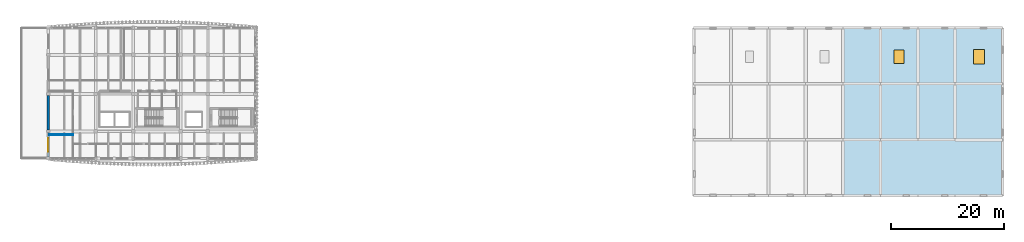
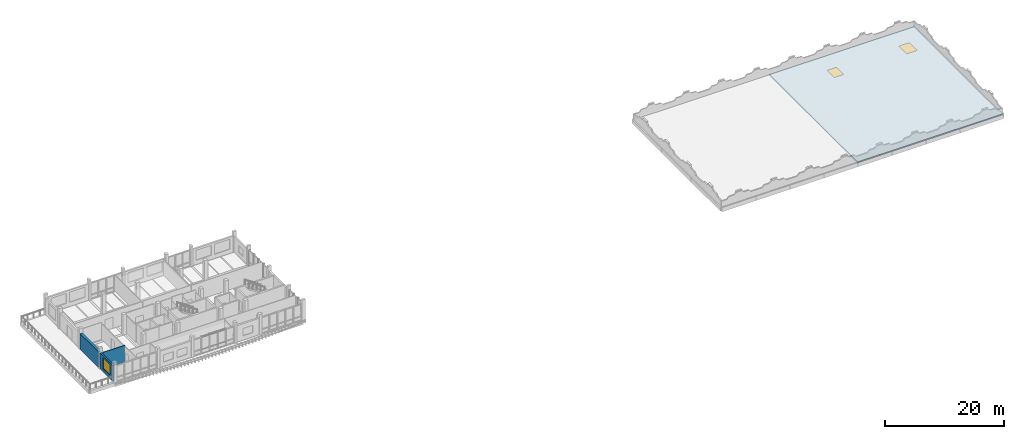
# One storey, part 9 of 20: 3 walls, 3 windows, 1 slab, 3 openings.
"""IFC4 building model written with IfcOpenShell, lengths in metres."""

from ifc_helpers import new_model, si_unit, direction, frame, frame_2d, origin, origin_2d, place, context, subcontext, project, spatial, polyline, rectangle, outline, extrude, material, layer, layer_set, type_object, element, fill, save


model = new_model("IFC4")

# Units and contexts
model_context = context("Model", 3, precision=1e-05, world=origin(), true_north=direction((0.0, 1.0)))
body_context = subcontext(model_context, "Body", "Model", "MODEL_VIEW")
ifc_project = project(units=[si_unit("LENGTHUNIT", "METRE"), si_unit("AREAUNIT", "SQUARE_METRE"), si_unit("VOLUMEUNIT", "CUBIC_METRE"), si_unit("PLANEANGLEUNIT", "RADIAN"), si_unit("MASSUNIT", "GRAM", prefix="KILO")], contexts=[model_context])

# Site, building, storey
site_placement = place(None, origin())
site = spatial("IfcSite", under=ifc_project, at=site_placement, CompositionType="ELEMENT")
building_placement = place(site_placement, origin())
building = spatial("IfcBuilding", under=site, at=building_placement, Name="Dornvale Research Institute", CompositionType="ELEMENT")
storey_placement = place(building_placement, frame((0.0, 0.0, 34.199951171875)))
storey = spatial("IfcBuildingStorey", under=building, at=storey_placement, Name="L07", CompositionType="ELEMENT", Elevation=34.199951171875)

# Slab, openings, windows
ifc_material_1 = material(Name="Concrete f'c 45 MPa (C35/45)", Category="concrete")
ifc_layer_1 = layer(ifc_material_1, 0.260009765625)
ifc_layer_set_1 = layer_set([ifc_layer_1], Name="Concrete f'c 45 MPa (C35/45)")
slab_type = type_object("IfcSlabType", Name="RoofSlab_Flat_260", PredefinedType="ROOF", material=ifc_layer_set_1)
slab_placement = place(storey_placement, frame((0.0, 0.0, -0.260009765625)))
slab = element("IfcSlab", 1, at=slab_placement, inside=storey, type_object=slab_type, Name="L07 V4 structural roof slab ROOF-V4-L07-E", PredefinedType="ROOF", context=body_context, shape_type="SweptSolid", body=[
    extrude(outline(polyline([(145.199951171875, 92.39990234375), (173.39990234375, 92.39990234375), (173.39990234375, 122.10009765625), (145.199951171875, 122.10009765625), (145.199951171875, 92.39990234375)])), origin(), (0.0, 0.0, 1.0), 0.260009765625),
])
opening_1_placement = place(slab_placement, frame((155.10009765625, 117.0, 0.0)))
opening_1 = element("IfcOpeningElement", 2, at=opening_1_placement, cuts=slab, Name="Opening SK-03", PredefinedType="OPENING", context=body_context, shape_type="SweptSolid", body=[
    extrude(rectangle(XDim=1.800048828125, YDim=2.39990234375, at=origin_2d()), origin(), (0.0, 0.0, 1.0), 0.260009765625),
])
opening_2_placement = place(slab_placement, frame((169.199951171875, 117.0, 0.0)))
opening_2 = element("IfcOpeningElement", 3, at=opening_2_placement, cuts=slab, Name="Opening SK-04", PredefinedType="OPENING", context=body_context, shape_type="SweptSolid", body=[
    extrude(rectangle(XDim=2.0, YDim=2.60009765625, at=origin_2d()), origin(), (0.0, 0.0, 1.0), 0.260009765625),
])
ifc_material_2 = material(Name="Low-E Argon Double Insulating Glazing Unit", Category="glass")
window_type_1 = type_object("IfcWindowType", Name="Skylight_Alu_1800x2400", PartitioningType="SINGLE_PANEL", PredefinedType="SKYLIGHT", material=ifc_material_2)
window_1_placement = place(opening_1_placement, frame((0.0, 0.0, 0.2099609375)))
window_1 = element("IfcWindow", 4, at=window_1_placement, inside=storey, type_object=window_type_1, Name="L07 daylight skylight SK-03 #9", OverallHeight=2.39990234375, OverallWidth=1.800048828125, PartitioningType="SINGLE_PANEL", PredefinedType="SKYLIGHT", context=body_context, shape_type="SweptSolid", body=[
    extrude(rectangle(XDim=1.800048828125, YDim=2.39990234375, at=origin_2d()), origin(), (0.0, 0.0, 1.0), 0.050048828125),
])
fill(opening_1, window_1)
ifc_material_3 = material(Name="Low-E Argon Double Insulating Glazing Unit", Category="glass")
window_type_2 = type_object("IfcWindowType", Name="Skylight_Alu_2000x2600", PartitioningType="SINGLE_PANEL", PredefinedType="SKYLIGHT", material=ifc_material_3)
window_2_placement = place(opening_2_placement, frame((0.0, 0.0, 0.2099609375)))
window_2 = element("IfcWindow", 5, at=window_2_placement, inside=storey, type_object=window_type_2, Name="L07 daylight skylight SK-04 #10", OverallHeight=2.60009765625, OverallWidth=2.0, PartitioningType="SINGLE_PANEL", PredefinedType="SKYLIGHT", context=body_context, shape_type="SweptSolid", body=[
    extrude(rectangle(XDim=2.0, YDim=2.60009765625, at=origin_2d()), origin(), (0.0, 0.0, 1.0), 0.050048828125),
])
fill(opening_2, window_2)

# Walls
ifc_material_4 = material(Name="Acoustic Insulated Double-Stud Laboratory Partition")
ifc_layer_2 = layer(ifc_material_4, 0.10009765625)
ifc_layer_set_2 = layer_set([ifc_layer_2], Name="Acoustic Insulated Double-Stud Laboratory Partition")
wall_type_1 = type_object("IfcWallType", Name="Partition_Office_100", PredefinedType="PARTITIONING", material=ifc_layer_set_2)
wall_1_placement = place(storey_placement, frame((4.97509765625, 103.199951171875, 0.0), z_axis=(0.0, 0.0, 1.0), x_axis=(1.0, 0.0, 0.0)))
element("IfcWall", 6, at=wall_1_placement, inside=storey, type_object=wall_type_1, Name="L07 V5 interior partition #545", PredefinedType="PARTITIONING", context=body_context, shape_type="SweptSolid", body=[
    extrude(rectangle(XDim=4.224853515625, YDim=0.10009765625, at=frame_2d((2.1123046875, 0.0))), origin(), (0.0, 0.0, 1.0), 3.47998046875),
])
ifc_material_5 = material(Name="Precast Concrete f'c 40 MPa (C32/40) and Glazed Terracotta Backup Wall", Category="masonry")
ifc_layer_3 = layer(ifc_material_5, 0.449951171875)
ifc_layer_set_3 = layer_set([ifc_layer_3], Name="Precast Concrete f'c 40 MPa (C32/40) and Glazed Terracotta Backup Wall")
wall_type_2 = type_object("IfcWallType", Name="SolidWall_ShearBraceBay_450", PredefinedType="SOLIDWALL", material=ifc_layer_set_3)
wall_2_placement = place(storey_placement, frame((4.800048828125, 104.02490234375, 0.0), z_axis=(0.0, 0.0, 1.0), x_axis=(0.0, 1.0, 0.0)))
element("IfcWall", 7, at=wall_2_placement, inside=storey, type_object=wall_type_2, Name="L07 V5 west exterior wall #382", PredefinedType="SOLIDWALL", context=body_context, shape_type="SweptSolid", body=[
    extrude(rectangle(XDim=6.150146484375, YDim=0.449951171875, at=frame_2d((3.0751953125, 0.0))), origin(), (0.0, 0.0, 1.0), 3.22998046875),
])

# Wall, opening, window
ifc_material_6 = material(Name="Catalan Pressed Brick and Insulated Cavity Assembly", Category="masonry")
ifc_layer_4 = layer(ifc_material_6, 0.320068359375)
ifc_layer_set_4 = layer_set([ifc_layer_4], Name="Catalan Pressed Brick and Insulated Cavity Assembly")
wall_type_3 = type_object("IfcWallType", Name="StandardWall_BrickCavity_320", PredefinedType="STANDARD", material=ifc_layer_set_4)
wall_3_placement = place(storey_placement, frame((4.800048828125, 99.22509765625, 0.0), z_axis=(0.0, 0.0, 1.0), x_axis=(0.0, 1.0, 0.0)))
wall_3 = element("IfcWall", 8, at=wall_3_placement, inside=storey, type_object=wall_type_3, Name="L07 V5 west exterior wall #381", PredefinedType="STANDARD", context=body_context, shape_type="SweptSolid", body=[
    extrude(rectangle(XDim=4.349853515625, YDim=0.320068359375, at=frame_2d((2.1748046875, 0.0))), origin(), (0.0, 0.0, 1.0), 3.22998046875),
])
opening_3_placement = place(wall_3_placement, frame((0.97509765625, 0.0, 0.64990234375)))
opening_3 = element("IfcOpeningElement", 9, at=opening_3_placement, cuts=wall_3, Name="Opening W-45", PredefinedType="OPENING", context=body_context, shape_type="SweptSolid", body=[
    extrude(rectangle(XDim=2.39990234375, YDim=2.239990234375, at=frame_2d((1.199951171875, 1.1201171875))), frame((0.0, 0.175048828125, 0.0), z_axis=(0.0, -1.0, 0.0), x_axis=(1.0, 0.0, 0.0)), (0.0, 0.0, 1.0), 0.35009765625),
])
ifc_material_7 = material(Name="Low-E Argon Double Insulating Glazing Unit", Category="glass")
window_type_3 = type_object("IfcWindowType", Name="Window_Alu_2400x2240_45", PartitioningType="DOUBLE_PANEL_VERTICAL", PredefinedType="WINDOW", material=ifc_material_7)
window_3_placement = place(opening_3_placement, origin())
window_3 = element("IfcWindow", 10, at=window_3_placement, inside=storey, type_object=window_type_3, Name="L07 V5 facade window W-45 #507", OverallHeight=2.239990234375, OverallWidth=2.39990234375, PartitioningType="DOUBLE_PANEL_VERTICAL", PredefinedType="WINDOW", context=body_context, shape_type="SweptSolid", body=[
    extrude(rectangle(XDim=2.39990234375, YDim=2.239990234375, at=frame_2d((1.199951171875, 1.1201171875))), frame((0.0, 0.030029296875, 0.0), z_axis=(0.0, -1.0, 0.0), x_axis=(1.0, 0.0, 0.0)), (0.0, 0.0, 1.0), 0.06005859375),
])
fill(opening_3, window_3)

save(model, "model.ifc")
